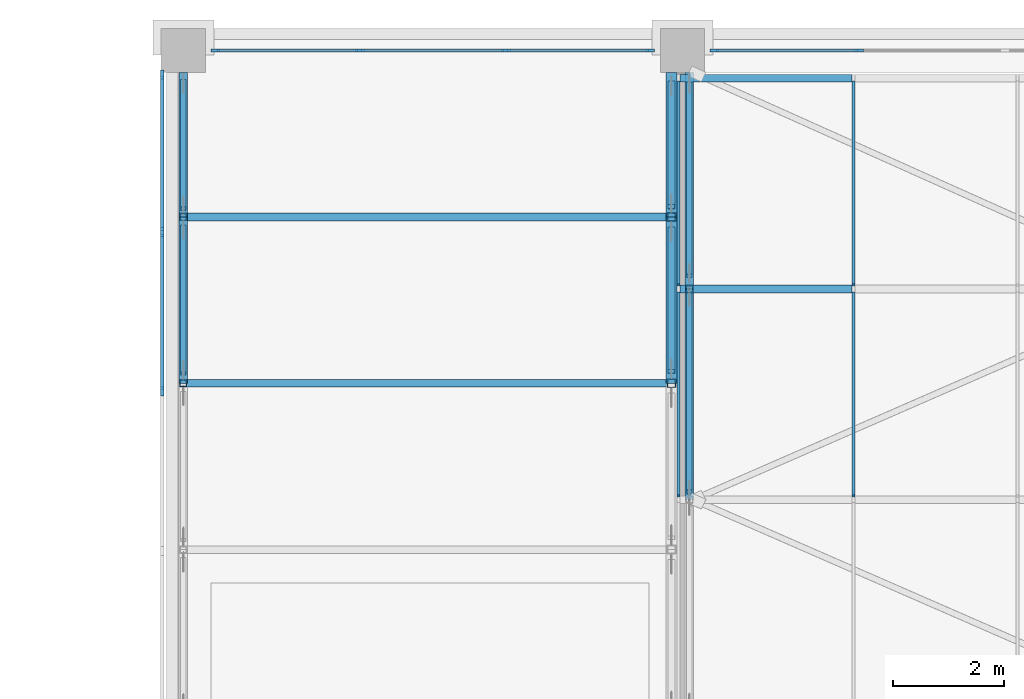
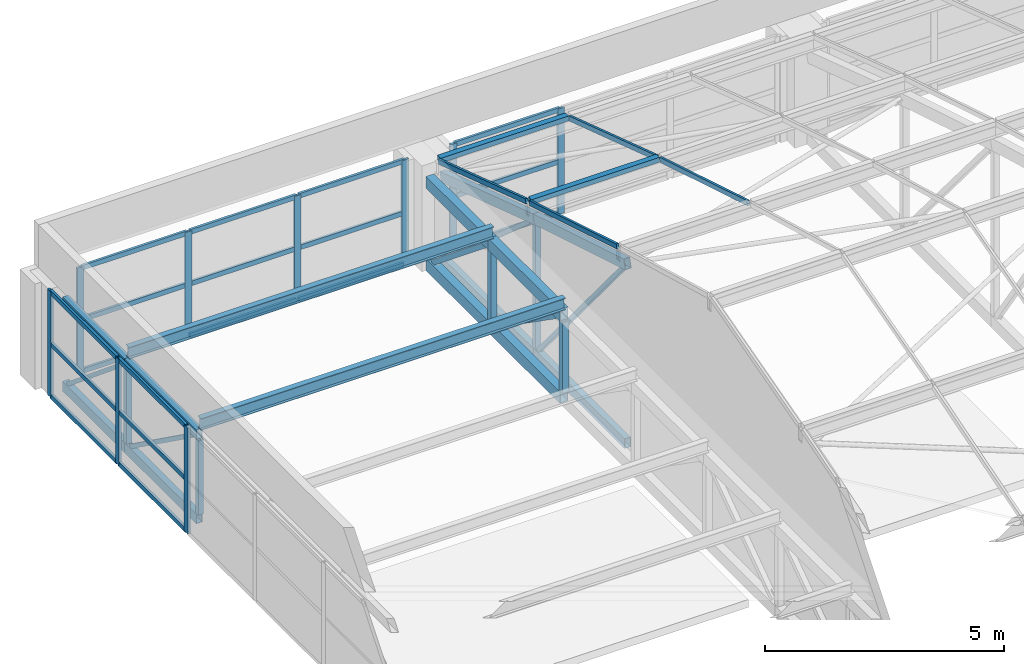
# One storey, part 8 of 82: 58 members, 4 elements without a shape of their own.
"""IFC4 building model written with IfcOpenShell, lengths in metres."""

from ifc_helpers import new_model, si_unit, direction, frame, origin, origin_2d, place, context, subcontext, project, spatial, rectangle, hollow_rectangle, i_section, extrude, material, material_profile, profile_set, type_object, element, aggregate, save


model = new_model("IFC4")

# Units and contexts
model_context = context("Model", 3, precision=1e-05, world=origin(), true_north=direction((0.0, 1.0)))
body_context = subcontext(model_context, "Body", "Model", "MODEL_VIEW")
ifc_project = project(units=[si_unit("LENGTHUNIT", "METRE"), si_unit("AREAUNIT", "SQUARE_METRE"), si_unit("VOLUMEUNIT", "CUBIC_METRE"), si_unit("PLANEANGLEUNIT", "RADIAN"), si_unit("MASSUNIT", "GRAM", prefix="KILO")], contexts=[model_context])

# Site, building, storey
site_placement = place(None, origin())
site = spatial("IfcSite", under=ifc_project, at=site_placement, CompositionType="ELEMENT")
building_placement = place(site_placement, origin())
building = spatial("IfcBuilding", under=site, at=building_placement, Name="Aravalli Gate Trade Fair Centre", CompositionType="ELEMENT")
storey_placement = place(building_placement, frame((0.0, 0.0, 19.199951171875)))
storey = spatial("IfcBuildingStorey", under=building, at=storey_placement, Name="L04", CompositionType="ELEMENT", Elevation=19.199951171875)

# Curtain wall, members
ifc_material_1 = material(Name="Aluminium and glass", Category="aluminium")
curtain_wall_type_1 = type_object("IfcCurtainWallType", Name="Curtain wall 3000 module", PredefinedType="NOTDEFINED", material=ifc_material_1)
curtain_wall_1_placement = place(storey_placement, origin())
curtain_wall_1 = element("IfcCurtainWall", 1, at=curtain_wall_1_placement, inside=storey, type_object=curtain_wall_type_1, Name="Curtain wall north bay 1 L04", PredefinedType="NOTDEFINED")
ifc_material_2 = material(Name="Aluminium", Category="aluminium")
ifc_material_profile_1 = material_profile(ifc_material_2, rectangle(XDim=0.06005859375, YDim=0.159912109375, at=origin_2d()), Name="Concourse curtain wall mullion 60 x 160")
ifc_profile_set_1 = profile_set([ifc_material_profile_1], Name="Aluminium")
member_type_1 = type_object("IfcMemberType", Name="Concourse curtain wall mullion 60 x 160", PredefinedType="MULLION", material=ifc_profile_set_1)
member_1_placement = place(storey_placement, frame((6.580078125, 133.0, 0.0), z_axis=(0.0, 0.0, 1.0), x_axis=(0.0, 1.0, 0.0)))
member_1 = element("IfcMember", 2, at=member_1_placement, type_object=member_type_1, Name="CW1 mullion 1", PredefinedType="MULLION", context=body_context, shape_type="SweptSolid", body=[
    extrude(rectangle(XDim=0.06005859375, YDim=0.159912109375, at=origin_2d()), origin(), (0.0, 0.0, 1.0), 2.699951171875),
])
member_2_placement = place(storey_placement, frame((9.183349609375, 133.0, 0.0), z_axis=(0.0, 0.0, 1.0), x_axis=(0.0, 1.0, 0.0)))
member_2 = element("IfcMember", 3, at=member_2_placement, type_object=member_type_1, Name="CW1 mullion 2", PredefinedType="MULLION", context=body_context, shape_type="SweptSolid", body=[
    extrude(rectangle(XDim=0.06005859375, YDim=0.159912109375, at=origin_2d()), origin(), (0.0, 0.0, 1.0), 2.699951171875),
])
member_3_placement = place(storey_placement, frame((11.816650390625, 133.0, 0.0), z_axis=(0.0, 0.0, 1.0), x_axis=(0.0, 1.0, 0.0)))
member_3 = element("IfcMember", 4, at=member_3_placement, type_object=member_type_1, Name="CW1 mullion 3", PredefinedType="MULLION", context=body_context, shape_type="SweptSolid", body=[
    extrude(rectangle(XDim=0.06005859375, YDim=0.159912109375, at=origin_2d()), origin(), (0.0, 0.0, 1.0), 2.699951171875),
])
member_4_placement = place(storey_placement, frame((14.419921875, 133.0, 0.0), z_axis=(0.0, 0.0, 1.0), x_axis=(0.0, 1.0, 0.0)))
member_4 = element("IfcMember", 5, at=member_4_placement, type_object=member_type_1, Name="CW1 mullion 4", PredefinedType="MULLION", context=body_context, shape_type="SweptSolid", body=[
    extrude(rectangle(XDim=0.06005859375, YDim=0.159912109375, at=origin_2d()), origin(), (0.0, 0.0, 1.0), 2.699951171875),
])

curtain_wall_2_placement = place(storey_placement, origin())
curtain_wall_2 = element("IfcCurtainWall", 6, at=curtain_wall_2_placement, inside=storey, type_object=curtain_wall_type_1, Name="Curtain wall north bay 2 L04", PredefinedType="NOTDEFINED")
member_5_placement = place(storey_placement, frame((15.580078125, 133.0, 0.0), z_axis=(0.0, 0.0, 1.0), x_axis=(0.0, 1.0, 0.0)))
member_5 = element("IfcMember", 7, at=member_5_placement, type_object=member_type_1, Name="CW1 mullion 1", PredefinedType="MULLION", context=body_context, shape_type="SweptSolid", body=[
    extrude(rectangle(XDim=0.06005859375, YDim=0.159912109375, at=origin_2d()), origin(), (0.0, 0.0, 1.0), 2.699951171875),
])
member_6_placement = place(storey_placement, frame((18.183349609375, 133.0, 0.0), z_axis=(0.0, 0.0, 1.0), x_axis=(0.0, 1.0, 0.0)))
member_6 = element("IfcMember", 8, at=member_6_placement, type_object=member_type_1, Name="CW1 mullion 2", PredefinedType="MULLION", context=body_context, shape_type="SweptSolid", body=[
    extrude(rectangle(XDim=0.06005859375, YDim=0.159912109375, at=origin_2d()), origin(), (0.0, 0.0, 1.0), 2.699951171875),
])

curtain_wall_3_placement = place(storey_placement, origin())
curtain_wall_3 = element("IfcCurtainWall", 9, at=curtain_wall_3_placement, inside=storey, type_object=curtain_wall_type_1, Name="Curtain wall west end L04", PredefinedType="NOTDEFINED")
member_7_placement = place(storey_placement, frame((5.6201171875, 126.85009765625, 0.0), z_axis=(0.0, 0.0, 1.0), x_axis=(-1.0, 0.0, 0.0)))
member_7 = element("IfcMember", 10, at=member_7_placement, type_object=member_type_1, Name="CW1 mullion 7", PredefinedType="MULLION", context=body_context, shape_type="SweptSolid", body=[
    extrude(rectangle(XDim=0.06005859375, YDim=0.159912109375, at=origin_2d()), origin(), (0.0, 0.0, 1.0), 2.699951171875),
])
member_8_placement = place(storey_placement, frame((5.6201171875, 129.72509765625, 0.0), z_axis=(0.0, 0.0, 1.0), x_axis=(-1.0, 0.0, 0.0)))
member_8 = element("IfcMember", 11, at=member_8_placement, type_object=member_type_1, Name="CW1 mullion 8", PredefinedType="MULLION", context=body_context, shape_type="SweptSolid", body=[
    extrude(rectangle(XDim=0.06005859375, YDim=0.159912109375, at=origin_2d()), origin(), (0.0, 0.0, 1.0), 2.699951171875),
])
member_9_placement = place(storey_placement, frame((5.6201171875, 132.570068359375, 0.0), z_axis=(0.0, 0.0, 1.0), x_axis=(-1.0, 0.0, 0.0)))
member_9 = element("IfcMember", 12, at=member_9_placement, type_object=member_type_1, Name="CW1 mullion 9", PredefinedType="MULLION", context=body_context, shape_type="SweptSolid", body=[
    extrude(rectangle(XDim=0.06005859375, YDim=0.159912109375, at=origin_2d()), origin(), (0.0, 0.0, 1.0), 2.699951171875),
])

# Member
ifc_material_profile_2 = material_profile(ifc_material_2, rectangle(XDim=0.06005859375, YDim=0.1201171875, at=origin_2d()), Name="Concourse curtain wall transom 60 x 120")
ifc_profile_set_2 = profile_set([ifc_material_profile_2], Name="Aluminium")
member_type_2 = type_object("IfcMemberType", Name="Concourse curtain wall transom 60 x 120", PredefinedType="USERDEFINED", material=ifc_profile_set_2)
member_10_placement = place(storey_placement, frame((6.610107421875, 133.0, 0.030029296875), z_axis=(1.0, 0.0, 0.0), x_axis=(0.0, 1.0, 0.0)))
member_10 = element("IfcMember", 13, at=member_10_placement, type_object=member_type_2, Name="CW1 transom 1.1", ObjectType="TRANSOM", PredefinedType="USERDEFINED", context=body_context, shape_type="SweptSolid", body=[
    extrude(rectangle(XDim=0.06005859375, YDim=0.1201171875, at=origin_2d()), origin(), (0.0, 0.0, 1.0), 2.543212890625),
])

member_11_placement = place(storey_placement, frame((6.610107421875, 133.0, 1.35009765625), z_axis=(1.0, 0.0, 0.0), x_axis=(0.0, 1.0, 0.0)))
member_11 = element("IfcMember", 14, at=member_11_placement, type_object=member_type_2, Name="CW1 transom 1.2", ObjectType="TRANSOM", PredefinedType="USERDEFINED", context=body_context, shape_type="SweptSolid", body=[
    extrude(rectangle(XDim=0.06005859375, YDim=0.1201171875, at=origin_2d()), origin(), (0.0, 0.0, 1.0), 2.543212890625),
])

member_12_placement = place(storey_placement, frame((6.610107421875, 133.0, 2.670166015625), z_axis=(1.0, 0.0, 0.0), x_axis=(0.0, 1.0, 0.0)))
member_12 = element("IfcMember", 15, at=member_12_placement, type_object=member_type_2, Name="CW1 transom 1.3", ObjectType="TRANSOM", PredefinedType="USERDEFINED", context=body_context, shape_type="SweptSolid", body=[
    extrude(rectangle(XDim=0.06005859375, YDim=0.1201171875, at=origin_2d()), origin(), (0.0, 0.0, 1.0), 2.543212890625),
])

member_13_placement = place(storey_placement, frame((9.21337890625, 133.0, 0.030029296875), z_axis=(1.0, 0.0, 0.0), x_axis=(0.0, 1.0, 0.0)))
member_13 = element("IfcMember", 16, at=member_13_placement, type_object=member_type_2, Name="CW1 transom 2.1", ObjectType="TRANSOM", PredefinedType="USERDEFINED", context=body_context, shape_type="SweptSolid", body=[
    extrude(rectangle(XDim=0.06005859375, YDim=0.1201171875, at=origin_2d()), origin(), (0.0, 0.0, 1.0), 2.5732421875),
])

member_14_placement = place(storey_placement, frame((9.21337890625, 133.0, 1.35009765625), z_axis=(1.0, 0.0, 0.0), x_axis=(0.0, 1.0, 0.0)))
member_14 = element("IfcMember", 17, at=member_14_placement, type_object=member_type_2, Name="CW1 transom 2.2", ObjectType="TRANSOM", PredefinedType="USERDEFINED", context=body_context, shape_type="SweptSolid", body=[
    extrude(rectangle(XDim=0.06005859375, YDim=0.1201171875, at=origin_2d()), origin(), (0.0, 0.0, 1.0), 2.5732421875),
])

member_15_placement = place(storey_placement, frame((9.21337890625, 133.0, 2.670166015625), z_axis=(1.0, 0.0, 0.0), x_axis=(0.0, 1.0, 0.0)))
member_15 = element("IfcMember", 18, at=member_15_placement, type_object=member_type_2, Name="CW1 transom 2.3", ObjectType="TRANSOM", PredefinedType="USERDEFINED", context=body_context, shape_type="SweptSolid", body=[
    extrude(rectangle(XDim=0.06005859375, YDim=0.1201171875, at=origin_2d()), origin(), (0.0, 0.0, 1.0), 2.5732421875),
])

member_16_placement = place(storey_placement, frame((11.8466796875, 133.0, 0.030029296875), z_axis=(1.0, 0.0, 0.0), x_axis=(0.0, 1.0, 0.0)))
member_16 = element("IfcMember", 19, at=member_16_placement, type_object=member_type_2, Name="CW1 transom 3.1", ObjectType="TRANSOM", PredefinedType="USERDEFINED", context=body_context, shape_type="SweptSolid", body=[
    extrude(rectangle(XDim=0.06005859375, YDim=0.1201171875, at=origin_2d()), origin(), (0.0, 0.0, 1.0), 2.543212890625),
])

member_17_placement = place(storey_placement, frame((11.8466796875, 133.0, 1.35009765625), z_axis=(1.0, 0.0, 0.0), x_axis=(0.0, 1.0, 0.0)))
member_17 = element("IfcMember", 20, at=member_17_placement, type_object=member_type_2, Name="CW1 transom 3.2", ObjectType="TRANSOM", PredefinedType="USERDEFINED", context=body_context, shape_type="SweptSolid", body=[
    extrude(rectangle(XDim=0.06005859375, YDim=0.1201171875, at=origin_2d()), origin(), (0.0, 0.0, 1.0), 2.543212890625),
])

member_18_placement = place(storey_placement, frame((11.8466796875, 133.0, 2.670166015625), z_axis=(1.0, 0.0, 0.0), x_axis=(0.0, 1.0, 0.0)))
member_18 = element("IfcMember", 21, at=member_18_placement, type_object=member_type_2, Name="CW1 transom 3.3", ObjectType="TRANSOM", PredefinedType="USERDEFINED", context=body_context, shape_type="SweptSolid", body=[
    extrude(rectangle(XDim=0.06005859375, YDim=0.1201171875, at=origin_2d()), origin(), (0.0, 0.0, 1.0), 2.543212890625),
])

aggregate(curtain_wall_1, [member_1, member_2, member_3, member_4, member_10, member_11, member_12, member_13, member_14, member_15, member_16, member_17, member_18])

member_19_placement = place(storey_placement, frame((15.610107421875, 133.0, 0.030029296875), z_axis=(1.0, 0.0, 0.0), x_axis=(0.0, 1.0, 0.0)))
member_19 = element("IfcMember", 22, at=member_19_placement, type_object=member_type_2, Name="CW1 transom 1.1", ObjectType="TRANSOM", PredefinedType="USERDEFINED", context=body_context, shape_type="SweptSolid", body=[
    extrude(rectangle(XDim=0.06005859375, YDim=0.1201171875, at=origin_2d()), origin(), (0.0, 0.0, 1.0), 2.543212890625),
])

member_20_placement = place(storey_placement, frame((15.610107421875, 133.0, 1.35009765625), z_axis=(1.0, 0.0, 0.0), x_axis=(0.0, 1.0, 0.0)))
member_20 = element("IfcMember", 23, at=member_20_placement, type_object=member_type_2, Name="CW1 transom 1.2", ObjectType="TRANSOM", PredefinedType="USERDEFINED", context=body_context, shape_type="SweptSolid", body=[
    extrude(rectangle(XDim=0.06005859375, YDim=0.1201171875, at=origin_2d()), origin(), (0.0, 0.0, 1.0), 2.543212890625),
])

member_21_placement = place(storey_placement, frame((15.610107421875, 133.0, 2.670166015625), z_axis=(1.0, 0.0, 0.0), x_axis=(0.0, 1.0, 0.0)))
member_21 = element("IfcMember", 24, at=member_21_placement, type_object=member_type_2, Name="CW1 transom 1.3", ObjectType="TRANSOM", PredefinedType="USERDEFINED", context=body_context, shape_type="SweptSolid", body=[
    extrude(rectangle(XDim=0.06005859375, YDim=0.1201171875, at=origin_2d()), origin(), (0.0, 0.0, 1.0), 2.543212890625),
])

aggregate(curtain_wall_2, [member_5, member_6, member_19, member_20, member_21])

member_22_placement = place(storey_placement, frame((5.6201171875, 126.8798828125, 0.030029296875), z_axis=(0.0, 1.0, 0.0), x_axis=(-1.0, 0.0, 0.0)))
member_22 = element("IfcMember", 25, at=member_22_placement, type_object=member_type_2, Name="CW1 transom 7.1", ObjectType="TRANSOM", PredefinedType="USERDEFINED", context=body_context, shape_type="SweptSolid", body=[
    extrude(rectangle(XDim=0.06005859375, YDim=0.1201171875, at=origin_2d()), origin(), (0.0, 0.0, 1.0), 2.815185546875),
])

member_23_placement = place(storey_placement, frame((5.6201171875, 126.8798828125, 1.35009765625), z_axis=(0.0, 1.0, 0.0), x_axis=(-1.0, 0.0, 0.0)))
member_23 = element("IfcMember", 26, at=member_23_placement, type_object=member_type_2, Name="CW1 transom 7.2", ObjectType="TRANSOM", PredefinedType="USERDEFINED", context=body_context, shape_type="SweptSolid", body=[
    extrude(rectangle(XDim=0.06005859375, YDim=0.1201171875, at=origin_2d()), origin(), (0.0, 0.0, 1.0), 2.815185546875),
])

member_24_placement = place(storey_placement, frame((5.6201171875, 126.8798828125, 2.670166015625), z_axis=(0.0, 1.0, 0.0), x_axis=(-1.0, 0.0, 0.0)))
member_24 = element("IfcMember", 27, at=member_24_placement, type_object=member_type_2, Name="CW1 transom 7.3", ObjectType="TRANSOM", PredefinedType="USERDEFINED", context=body_context, shape_type="SweptSolid", body=[
    extrude(rectangle(XDim=0.06005859375, YDim=0.1201171875, at=origin_2d()), origin(), (0.0, 0.0, 1.0), 2.815185546875),
])

member_25_placement = place(storey_placement, frame((5.6201171875, 129.7548828125, 0.030029296875), z_axis=(0.0, 1.0, 0.0), x_axis=(-1.0, 0.0, 0.0)))
member_25 = element("IfcMember", 28, at=member_25_placement, type_object=member_type_2, Name="CW1 transom 8.1", ObjectType="TRANSOM", PredefinedType="USERDEFINED", context=body_context, shape_type="SweptSolid", body=[
    extrude(rectangle(XDim=0.06005859375, YDim=0.1201171875, at=origin_2d()), origin(), (0.0, 0.0, 1.0), 2.78515625),
])

member_26_placement = place(storey_placement, frame((5.6201171875, 129.7548828125, 1.35009765625), z_axis=(0.0, 1.0, 0.0), x_axis=(-1.0, 0.0, 0.0)))
member_26 = element("IfcMember", 29, at=member_26_placement, type_object=member_type_2, Name="CW1 transom 8.2", ObjectType="TRANSOM", PredefinedType="USERDEFINED", context=body_context, shape_type="SweptSolid", body=[
    extrude(rectangle(XDim=0.06005859375, YDim=0.1201171875, at=origin_2d()), origin(), (0.0, 0.0, 1.0), 2.78515625),
])

member_27_placement = place(storey_placement, frame((5.6201171875, 129.7548828125, 2.670166015625), z_axis=(0.0, 1.0, 0.0), x_axis=(-1.0, 0.0, 0.0)))
member_27 = element("IfcMember", 30, at=member_27_placement, type_object=member_type_2, Name="CW1 transom 8.3", ObjectType="TRANSOM", PredefinedType="USERDEFINED", context=body_context, shape_type="SweptSolid", body=[
    extrude(rectangle(XDim=0.06005859375, YDim=0.1201171875, at=origin_2d()), origin(), (0.0, 0.0, 1.0), 2.78515625),
])

aggregate(curtain_wall_3, [member_7, member_8, member_9, member_22, member_23, member_24, member_25, member_26, member_27])

# Members
ifc_material_3 = material(Name="Steel E350", Category="steel")
ifc_material_profile_3 = material_profile(ifc_material_3, i_section(OverallWidth=0.139892578125, OverallDepth=0.300048828125, WebThickness=0.0078125, FlangeThickness=0.01318359375, at=origin_2d()), Name="ISMB 300")
ifc_profile_set_3 = profile_set([ifc_material_profile_3], Name="Steel E350")
member_type_3 = type_object("IfcMemberType", Name="ISMB 300 roof purlin", PredefinedType="PURLIN", material=ifc_profile_set_3)
for number, where, z_axis, x_axis, name in (
    (31, (6.0, 127.0, 2.550048828125), (1.0, 0.0, 0.0), (0.0, 1.0, 0.0), "Concourse purlin 01-02 P6"),
    (32, (6.0, 130.0, 2.550048828125), (1.0, 0.0, 0.0), (0.0, 1.0, 0.0), "Concourse purlin 01-02 P7"),
):
    element("IfcMember", number, at=place(storey_placement, frame(where, z_axis=z_axis, x_axis=x_axis)), inside=storey, type_object=member_type_3, Name=name, PredefinedType="PURLIN", context=body_context, shape_type="SweptSolid", body=[
        extrude(i_section(OverallWidth=0.139892578125, OverallDepth=0.300048828125, WebThickness=0.0078125, FlangeThickness=0.01318359375, at=origin_2d()), origin(), (0.0, 0.0, 1.0), 8.800048828125),
    ])
ifc_material_profile_4 = material_profile(ifc_material_3, hollow_rectangle(XDim=0.14990234375, YDim=0.25, WallThickness=0.010009765625, at=origin_2d()), Name="RHS 250x150x10")
ifc_profile_set_4 = profile_set([ifc_material_profile_4], Name="Steel E350")
member_type_4 = type_object("IfcMemberType", Name="RHS 250x150x10 CT2 truss chord", PredefinedType="CHORD", material=ifc_profile_set_4)
member_28_placement = place(storey_placement, frame((15.125, 124.89990234375, 4.699462890625), z_axis=(0.0, 0.957138110877, -0.289631898634), x_axis=(-1.0, 0.0, 0.0)))
element("IfcMember", 33, at=member_28_placement, inside=storey, type_object=member_type_4, Name="Concourse vault truss CT2 line 02 top chord T5", PredefinedType="CHORD", context=body_context, shape_type="SweptSolid", body=[
    extrude(hollow_rectangle(XDim=0.14990234375, YDim=0.25, WallThickness=0.010009765625, at=origin_2d()), origin(), (0.0, 0.0, 1.0), 3.97021484375),
])
member_29_placement = place(storey_placement, frame((15.125, 124.89990234375, 0.125), z_axis=(0.0, 1.0, 0.0), x_axis=(-1.0, 0.0, 0.0)))
element("IfcMember", 34, at=member_29_placement, inside=storey, type_object=member_type_4, Name="Concourse vault truss CT2 line 02 bottom chord B5", PredefinedType="CHORD", context=body_context, shape_type="SweptSolid", body=[
    extrude(hollow_rectangle(XDim=0.14990234375, YDim=0.25, WallThickness=0.010009765625, at=origin_2d()), origin(), (0.0, 0.0, 1.0), 3.800048828125),
])
member_30_placement = place(storey_placement, frame((15.125, 128.699951171875, 3.54833984375), z_axis=(0.0, 0.949942278101, -0.312425460353), x_axis=(-1.0, 0.0, 0.0)))
element("IfcMember", 35, at=member_30_placement, inside=storey, type_object=member_type_4, Name="Concourse vault truss CT2 line 02 top chord T6", PredefinedType="CHORD", context=body_context, shape_type="SweptSolid", body=[
    extrude(hollow_rectangle(XDim=0.14990234375, YDim=0.25, WallThickness=0.010009765625, at=origin_2d()), origin(), (0.0, 0.0, 1.0), 4.105712890625),
])
member_31_placement = place(storey_placement, frame((15.125, 128.699951171875, 0.125), z_axis=(0.0, 1.0, 0.0), x_axis=(-1.0, 0.0, 0.0)))
element("IfcMember", 36, at=member_31_placement, inside=storey, type_object=member_type_4, Name="Concourse vault truss CT2 line 02 bottom chord B6", PredefinedType="CHORD", context=body_context, shape_type="SweptSolid", body=[
    extrude(hollow_rectangle(XDim=0.14990234375, YDim=0.25, WallThickness=0.010009765625, at=origin_2d()), origin(), (0.0, 0.0, 1.0), 3.900146484375),
])
ifc_material_profile_5 = material_profile(ifc_material_3, hollow_rectangle(XDim=0.14990234375, YDim=0.25, WallThickness=0.010009765625, at=origin_2d()), Name="RHS 250x150x10")
ifc_profile_set_5 = profile_set([ifc_material_profile_5], Name="Steel E350")
member_type_5 = type_object("IfcMemberType", Name="RHS 250x150x10 CT3 truss chord", PredefinedType="CHORD", material=ifc_profile_set_5)
for number, where, z_axis, x_axis, name in (
    (37, (6.0, 127.0, 2.275146484375), (0.0, 1.0, 0.0), (-1.0, 0.0, 0.0), "Concourse truss CT3 line 01 chord T7"),
    (38, (6.0, 127.0, 0.125), (0.0, 1.0, 0.0), (-1.0, 0.0, 0.0), "Concourse truss CT3 line 01 chord B7"),
):
    element("IfcMember", number, at=place(storey_placement, frame(where, z_axis=z_axis, x_axis=x_axis)), inside=storey, type_object=member_type_5, Name=name, PredefinedType="CHORD", context=body_context, shape_type="SweptSolid", body=[
        extrude(hollow_rectangle(XDim=0.14990234375, YDim=0.25, WallThickness=0.010009765625, at=origin_2d()), origin(), (0.0, 0.0, 1.0), 3.0),
    ])
for number, where, z_axis, x_axis, name in (
    (39, (6.0, 130.0, 2.275146484375), (0.0, 1.0, 0.0), (-1.0, 0.0, 0.0), "Concourse truss CT3 line 01 chord T8"),
    (40, (6.0, 130.0, 0.125), (0.0, 1.0, 0.0), (-1.0, 0.0, 0.0), "Concourse truss CT3 line 01 chord B8"),
):
    element("IfcMember", number, at=place(storey_placement, frame(where, z_axis=z_axis, x_axis=x_axis)), inside=storey, type_object=member_type_5, Name=name, PredefinedType="CHORD", context=body_context, shape_type="SweptSolid", body=[
        extrude(hollow_rectangle(XDim=0.14990234375, YDim=0.25, WallThickness=0.010009765625, at=origin_2d()), origin(), (0.0, 0.0, 1.0), 2.60009765625),
    ])
ifc_material_profile_6 = material_profile(ifc_material_3, hollow_rectangle(XDim=0.199951171875, YDim=0.300048828125, WallThickness=0.011962890625, at=origin_2d()), Name="RHS 300x200x12")
ifc_profile_set_6 = profile_set([ifc_material_profile_6], Name="Steel E350")
member_type_6 = type_object("IfcMemberType", Name="RHS 300x200x12 CT4 truss chord", PredefinedType="CHORD", material=ifc_profile_set_6)
for number, where, z_axis, x_axis, name in (
    (41, (14.800048828125, 127.0, 2.25), (0.0, 1.0, 0.0), (-1.0, 0.0, 0.0), "Concourse truss CT4 line 02F chord T7"),
    (42, (14.800048828125, 127.0, 0.150146484375), (0.0, 1.0, 0.0), (-1.0, 0.0, 0.0), "Concourse truss CT4 line 02F chord B7"),
):
    element("IfcMember", number, at=place(storey_placement, frame(where, z_axis=z_axis, x_axis=x_axis)), inside=storey, type_object=member_type_6, Name=name, PredefinedType="CHORD", context=body_context, shape_type="SweptSolid", body=[
        extrude(hollow_rectangle(XDim=0.199951171875, YDim=0.300048828125, WallThickness=0.011962890625, at=origin_2d()), origin(), (0.0, 0.0, 1.0), 3.0),
    ])
for number, where, z_axis, x_axis, name in (
    (43, (14.800048828125, 130.0, 2.25), (0.0, 1.0, 0.0), (-1.0, 0.0, 0.0), "Concourse truss CT4 line 02F chord T8"),
    (44, (14.800048828125, 130.0, 0.150146484375), (0.0, 1.0, 0.0), (-1.0, 0.0, 0.0), "Concourse truss CT4 line 02F chord B8"),
):
    element("IfcMember", number, at=place(storey_placement, frame(where, z_axis=z_axis, x_axis=x_axis)), inside=storey, type_object=member_type_6, Name=name, PredefinedType="CHORD", context=body_context, shape_type="SweptSolid", body=[
        extrude(hollow_rectangle(XDim=0.199951171875, YDim=0.300048828125, WallThickness=0.011962890625, at=origin_2d()), origin(), (0.0, 0.0, 1.0), 2.60009765625),
    ])
ifc_material_profile_7 = material_profile(ifc_material_3, hollow_rectangle(XDim=0.10009765625, YDim=0.10009765625, WallThickness=0.006103515625, at=origin_2d()), Name="SHS 100x100x6")
ifc_profile_set_7 = profile_set([ifc_material_profile_7], Name="Steel E350")
member_type_7 = type_object("IfcMemberType", Name="SHS 100x100x6 CT2 truss diagonal", PredefinedType="BRACE", material=ifc_profile_set_7)
member_32_placement = place(storey_placement, frame((15.125, 125.044921875, 4.52490234375), z_axis=(0.0, 0.638999701162, -0.769206982493), x_axis=(-1.0, 0.0, 0.0)))
element("IfcMember", 45, at=member_32_placement, inside=storey, type_object=member_type_7, Name="Concourse vault truss CT2 line 02 diagonal D5", PredefinedType="BRACE", context=body_context, shape_type="SweptSolid", body=[
    extrude(hollow_rectangle(XDim=0.10009765625, YDim=0.10009765625, WallThickness=0.006103515625, at=origin_2d()), origin(), (0.0, 0.0, 1.0), 5.5576171875),
])
member_33_placement = place(storey_placement, frame((15.125, 128.939697265625, 3.338134765625), z_axis=(0.0, 0.751512751569, -0.659718564411), x_axis=(-1.0, 0.0, 0.0)))
element("IfcMember", 46, at=member_33_placement, inside=storey, type_object=member_type_7, Name="Concourse vault truss CT2 line 02 diagonal D6", PredefinedType="BRACE", context=body_context, shape_type="SweptSolid", body=[
    extrude(hollow_rectangle(XDim=0.10009765625, YDim=0.10009765625, WallThickness=0.006103515625, at=origin_2d()), origin(), (0.0, 0.0, 1.0), 4.680908203125),
])
ifc_material_profile_8 = material_profile(ifc_material_3, hollow_rectangle(XDim=0.10009765625, YDim=0.10009765625, WallThickness=0.006103515625, at=origin_2d()), Name="SHS 100x100x6")
ifc_profile_set_8 = profile_set([ifc_material_profile_8], Name="Steel E350")
member_type_8 = type_object("IfcMemberType", Name="SHS 100x100x6 CT3 truss diagonal", PredefinedType="BRACE", material=ifc_profile_set_8)
member_34_placement = place(storey_placement, frame((6.0, 127.17431640625, 2.150146484375), z_axis=(0.0, 0.812817127574, -0.582518941428), x_axis=(-1.0, 0.0, 0.0)))
element("IfcMember", 47, at=member_34_placement, inside=storey, type_object=member_type_8, Name="Concourse truss CT3 line 01 diagonal D7", PredefinedType="BRACE", context=body_context, shape_type="SweptSolid", body=[
    extrude(hollow_rectangle(XDim=0.10009765625, YDim=0.10009765625, WallThickness=0.006103515625, at=origin_2d()), origin(), (0.0, 0.0, 1.0), 3.261962890625),
])
member_35_placement = place(storey_placement, frame((6.0, 130.151123046875, 2.150146484375), z_axis=(0.0, 0.770612017616, -0.637304572639), x_axis=(-1.0, 0.0, 0.0)))
element("IfcMember", 48, at=member_35_placement, inside=storey, type_object=member_type_8, Name="Concourse truss CT3 line 01 diagonal D8", PredefinedType="BRACE", context=body_context, shape_type="SweptSolid", body=[
    extrude(hollow_rectangle(XDim=0.10009765625, YDim=0.10009765625, WallThickness=0.006103515625, at=origin_2d()), origin(), (0.0, 0.0, 1.0), 2.9814453125),
])
ifc_material_profile_9 = material_profile(ifc_material_3, hollow_rectangle(XDim=0.125, YDim=0.125, WallThickness=0.006103515625, at=origin_2d()), Name="SHS 125x125x6")
ifc_profile_set_9 = profile_set([ifc_material_profile_9], Name="Steel E350")
member_type_9 = type_object("IfcMemberType", Name="SHS 125x125x6 CT2 truss post", PredefinedType="POST", material=ifc_profile_set_9)
member_36_placement = place(storey_placement, frame((15.125, 128.699951171875, 0.25), z_axis=(0.0, 0.0, 1.0), x_axis=(1.0, 0.0, 0.0)))
element("IfcMember", 49, at=member_36_placement, inside=storey, type_object=member_type_9, Name="Concourse vault truss CT2 line 02 post V5", PredefinedType="POST", context=body_context, shape_type="SweptSolid", body=[
    extrude(hollow_rectangle(XDim=0.125, YDim=0.125, WallThickness=0.006103515625, at=origin_2d()), origin(), (0.0, 0.0, 1.0), 3.166748046875),
])
ifc_material_profile_10 = material_profile(ifc_material_3, hollow_rectangle(XDim=0.125, YDim=0.125, WallThickness=0.006103515625, at=origin_2d()), Name="SHS 125x125x6")
ifc_profile_set_10 = profile_set([ifc_material_profile_10], Name="Steel E350")
member_type_10 = type_object("IfcMemberType", Name="SHS 125x125x6 CT3 truss post", PredefinedType="POST", material=ifc_profile_set_10)
for number, where, z_axis, x_axis, name in (
    (50, (6.0, 127.0, 0.25), (0.0, 0.0, 1.0), (1.0, 0.0, 0.0), "Concourse truss CT3 line 01 post V6"),
    (51, (6.0, 130.0, 0.25), (0.0, 0.0, 1.0), (1.0, 0.0, 0.0), "Concourse truss CT3 line 01 post V7"),
):
    element("IfcMember", number, at=place(storey_placement, frame(where, z_axis=z_axis, x_axis=x_axis)), inside=storey, type_object=member_type_10, Name=name, PredefinedType="POST", context=body_context, shape_type="SweptSolid", body=[
        extrude(hollow_rectangle(XDim=0.125, YDim=0.125, WallThickness=0.006103515625, at=origin_2d()), origin(), (0.0, 0.0, 1.0), 1.900146484375),
    ])
ifc_material_profile_11 = material_profile(ifc_material_3, hollow_rectangle(XDim=0.125, YDim=0.125, WallThickness=0.006103515625, at=origin_2d()), Name="SHS 125x125x6")
ifc_profile_set_11 = profile_set([ifc_material_profile_11], Name="Steel E350")
member_type_11 = type_object("IfcMemberType", Name="SHS 125x125x6 CT4 truss diagonal", PredefinedType="BRACE", material=ifc_profile_set_11)
member_37_placement = place(storey_placement, frame((14.800048828125, 127.21435546875, 2.10009765625), z_axis=(0.0, 0.819209994526, -0.573493665936), x_axis=(-1.0, 0.0, 0.0)))
element("IfcMember", 52, at=member_37_placement, inside=storey, type_object=member_type_11, Name="Concourse truss CT4 line 02F diagonal D7", PredefinedType="BRACE", context=body_context, shape_type="SweptSolid", body=[
    extrude(hollow_rectangle(XDim=0.125, YDim=0.125, WallThickness=0.006103515625, at=origin_2d()), origin(), (0.0, 0.0, 1.0), 3.138671875),
])
member_38_placement = place(storey_placement, frame((14.800048828125, 130.185791015625, 2.10009765625), z_axis=(0.0, 0.777925157524, -0.628356944174), x_axis=(-1.0, 0.0, 0.0)))
element("IfcMember", 53, at=member_38_placement, inside=storey, type_object=member_type_11, Name="Concourse truss CT4 line 02F diagonal D8", PredefinedType="BRACE", context=body_context, shape_type="SweptSolid", body=[
    extrude(hollow_rectangle(XDim=0.125, YDim=0.125, WallThickness=0.006103515625, at=origin_2d()), origin(), (0.0, 0.0, 1.0), 2.86474609375),
])
ifc_material_profile_12 = material_profile(ifc_material_3, hollow_rectangle(XDim=0.14990234375, YDim=0.14990234375, WallThickness=0.006103515625, at=origin_2d()), Name="SHS 150x150x6")
ifc_profile_set_12 = profile_set([ifc_material_profile_12], Name="Steel E350")
member_type_12 = type_object("IfcMemberType", Name="SHS 150x150x6 CT4 truss post", PredefinedType="POST", material=ifc_profile_set_12)
for number, where, z_axis, x_axis, name in (
    (54, (14.800048828125, 127.0, 0.300048828125), (0.0, 0.0, 1.0), (1.0, 0.0, 0.0), "Concourse truss CT4 line 02F post V6"),
    (55, (14.800048828125, 130.0, 0.300048828125), (0.0, 0.0, 1.0), (1.0, 0.0, 0.0), "Concourse truss CT4 line 02F post V7"),
):
    element("IfcMember", number, at=place(storey_placement, frame(where, z_axis=z_axis, x_axis=x_axis)), inside=storey, type_object=member_type_12, Name=name, PredefinedType="POST", context=body_context, shape_type="SweptSolid", body=[
        extrude(hollow_rectangle(XDim=0.14990234375, YDim=0.14990234375, WallThickness=0.006103515625, at=origin_2d()), origin(), (0.0, 0.0, 1.0), 1.800048828125),
    ])
ifc_material_profile_13 = material_profile(ifc_material_2, rectangle(XDim=0.139892578125, YDim=0.1201171875, at=origin_2d()), Name="Vault fold cap 140 x 120")
ifc_profile_set_13 = profile_set([ifc_material_profile_13], Name="Aluminium")
member_type_13 = type_object("IfcMemberType", Name="Vault fold cap 140 x 120", PredefinedType="USERDEFINED", material=ifc_profile_set_13)
for number, where, z_axis, x_axis, name in (
    (56, (14.9599609375, 128.699951171875, 4.061279296875), (1.0, 0.0, 0.0), (0.0, 1.0, 0.0), "Vault fold cap w1.5"),
    (57, (14.9599609375, 132.5, 2.81298828125), (1.0, 0.0, 0.0), (0.0, 1.0, 0.0), "Vault fold cap w1.6"),
):
    element("IfcMember", number, at=place(storey_placement, frame(where, z_axis=z_axis, x_axis=x_axis)), inside=storey, type_object=member_type_13, Name=name, ObjectType="FOLD CAP", PredefinedType="USERDEFINED", context=body_context, shape_type="SweptSolid", body=[
        extrude(rectangle(XDim=0.139892578125, YDim=0.1201171875, at=origin_2d()), origin(), (0.0, 0.0, 1.0), 3.09326171875),
    ])

# Curtain wall, members
curtain_wall_type_2 = type_object("IfcCurtainWallType", Name="Vault curtain wall, sloped glazing", PredefinedType="NOTDEFINED", material=ifc_material_1)
curtain_wall_4_placement = place(storey_placement, origin())
curtain_wall_4 = element("IfcCurtainWall", 58, at=curtain_wall_4_placement, inside=storey, type_object=curtain_wall_type_2, Name="Vault curtain wall w", PredefinedType="NOTDEFINED")
ifc_material_profile_14 = material_profile(ifc_material_2, rectangle(XDim=0.06005859375, YDim=0.1201171875, at=origin_2d()), Name="Vault glazing bar 60 x 120")
ifc_profile_set_14 = profile_set([ifc_material_profile_14], Name="Aluminium")
member_type_14 = type_object("IfcMemberType", Name="Vault glazing bar 60 x 120", PredefinedType="USERDEFINED", material=ifc_profile_set_14)
member_39_placement = place(storey_placement, frame((14.929931640625, 124.969970703125, 5.166259765625), z_axis=(0.0, 0.957125834694, -0.289672464279), x_axis=(-1.0, 0.0, 0.0)))
member_39 = element("IfcMember", 59, at=member_39_placement, type_object=member_type_14, Name="Vault glazing bar w1.5", ObjectType="GLAZING BAR", PredefinedType="USERDEFINED", context=body_context, shape_type="SweptSolid", body=[
    extrude(rectangle(XDim=0.06005859375, YDim=0.1201171875, at=origin_2d()), origin(), (0.0, 0.0, 1.0), 3.823974609375),
])
member_40_placement = place(storey_placement, frame((14.929931640625, 128.77001953125, 4.013916015625), z_axis=(0.0, 0.949930492103, -0.31246129388), x_axis=(-1.0, 0.0, 0.0)))
member_40 = element("IfcMember", 60, at=member_40_placement, type_object=member_type_14, Name="Vault glazing bar w1.6", ObjectType="GLAZING BAR", PredefinedType="USERDEFINED", context=body_context, shape_type="SweptSolid", body=[
    extrude(rectangle(XDim=0.06005859375, YDim=0.1201171875, at=origin_2d()), origin(), (0.0, 0.0, 1.0), 3.852783203125),
])
member_41_placement = place(storey_placement, frame((18.083251953125, 124.969970703125, 5.166259765625), z_axis=(0.0, 0.957125834694, -0.289672464279), x_axis=(-1.0, 0.0, 0.0)))
member_41 = element("IfcMember", 61, at=member_41_placement, type_object=member_type_14, Name="Vault glazing bar w2.5", ObjectType="GLAZING BAR", PredefinedType="USERDEFINED", context=body_context, shape_type="SweptSolid", body=[
    extrude(rectangle(XDim=0.06005859375, YDim=0.1201171875, at=origin_2d()), origin(), (0.0, 0.0, 1.0), 3.823974609375),
])
member_42_placement = place(storey_placement, frame((18.083251953125, 128.77001953125, 4.013916015625), z_axis=(0.0, 0.949930492103, -0.31246129388), x_axis=(-1.0, 0.0, 0.0)))
member_42 = element("IfcMember", 62, at=member_42_placement, type_object=member_type_14, Name="Vault glazing bar w2.6", ObjectType="GLAZING BAR", PredefinedType="USERDEFINED", context=body_context, shape_type="SweptSolid", body=[
    extrude(rectangle(XDim=0.06005859375, YDim=0.1201171875, at=origin_2d()), origin(), (0.0, 0.0, 1.0), 3.852783203125),
])
aggregate(curtain_wall_4, [member_39, member_40, member_41, member_42])

save(model, "model.ifc")
